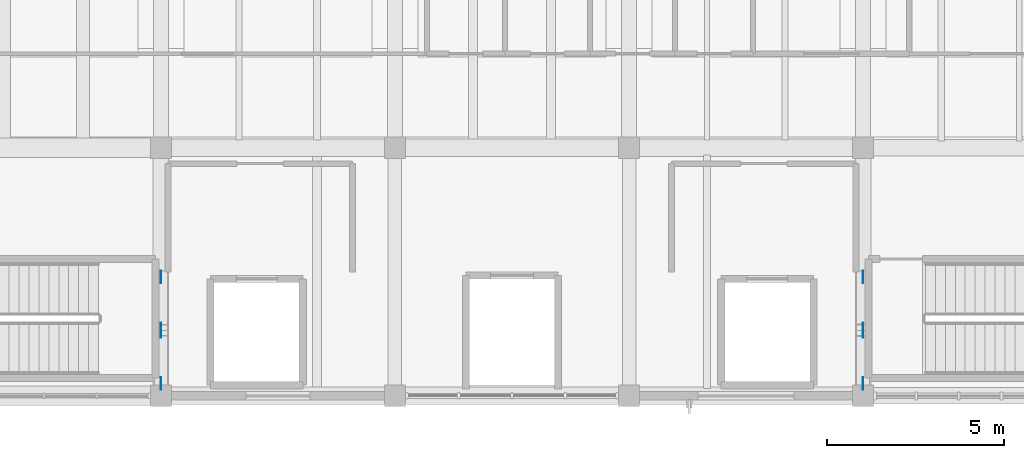
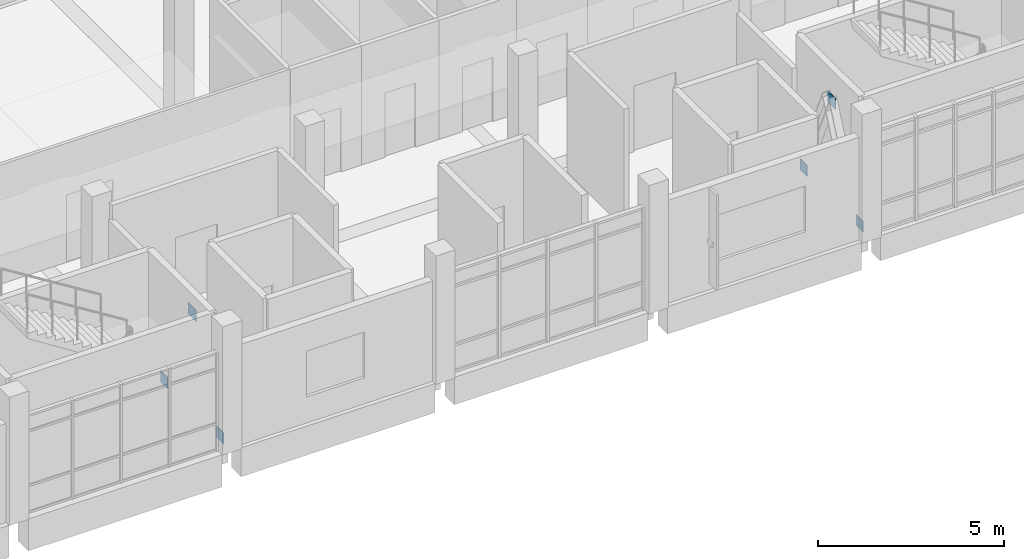
# One storey, part 8 of 14: 6 plates.
"""IFC4 building model written with IfcOpenShell, lengths in metres."""

from ifc_helpers import new_model, si_unit, direction, frame, origin, origin_2d, place, context, subcontext, project, spatial, rectangle, extrude, material, layer, layer_set, type_object, element, save


model = new_model("IFC4")

# Units and contexts
model_context = context("Model", 3, precision=1e-05, world=origin(), true_north=direction((0.0, 1.0)))
body_context = subcontext(model_context, "Body", "Model", "MODEL_VIEW")
ifc_project = project(units=[si_unit("LENGTHUNIT", "METRE"), si_unit("AREAUNIT", "SQUARE_METRE"), si_unit("VOLUMEUNIT", "CUBIC_METRE"), si_unit("PLANEANGLEUNIT", "RADIAN"), si_unit("MASSUNIT", "GRAM", prefix="KILO")], contexts=[model_context])

# Site, building, storey
site_placement = place(None, origin())
site = spatial("IfcSite", under=ifc_project, at=site_placement, CompositionType="ELEMENT")
building_placement = place(site_placement, origin())
building = spatial("IfcBuilding", under=site, at=building_placement, Name="Ciguamira Faculty of Natural Sciences", CompositionType="ELEMENT")
storey_placement = place(building_placement, frame((0.0, 0.0, 33.60009765625)))
storey = spatial("IfcBuildingStorey", under=building, at=storey_placement, Name="L08", CompositionType="ELEMENT", Elevation=33.60009765625)

# Plates
ifc_material = material(Name="Steel ASTM A572 Grade 50", Category="steel")
ifc_layer = layer(ifc_material, 0.02001953125, Name="Steel ASTM A572 Grade 50")
ifc_layer_set = layer_set([ifc_layer], Name="Steel ASTM A572 Grade 50")
plate_type = type_object("IfcPlateType", Name="GussetPlate_EP-02", PredefinedType="SHEET", material=ifc_layer_set)
plate_1_placement = place(storey_placement, frame((77.10009765625, 95.85009765625, 3.099609375), z_axis=(0.0, 0.0, 1.0), x_axis=(1.0, 0.0, 0.0)))
element("IfcPlate", 1, at=plate_1_placement, inside=storey, type_object=plate_type, Name="L08 chevron brace apex gusset plate 019", PredefinedType="SHEET", context=body_context, shape_type="SweptSolid", body=[
    extrude(rectangle(XDim=0.02001953125, YDim=0.419921875, at=origin_2d()), origin(), (0.0, 0.0, 1.0), 0.360107421875),
])
for number, where, z_axis, x_axis, name in (
    (2, (77.10009765625, 94.35009765625, -0.02001953125), (0.0, 0.0, 1.0), (1.0, 0.0, 0.0), "L08 chevron brace base gusset plate 037"),
    (3, (77.10009765625, 97.35009765625, -0.02001953125), (0.0, 0.0, 1.0), (1.0, 0.0, 0.0), "L08 chevron brace base gusset plate 038"),
):
    element("IfcPlate", number, at=place(storey_placement, frame(where, z_axis=z_axis, x_axis=x_axis)), inside=storey, type_object=plate_type, Name=name, PredefinedType="SHEET", context=body_context, shape_type="SweptSolid", body=[
        extrude(rectangle(XDim=0.02001953125, YDim=0.360107421875, at=origin_2d()), origin(), (0.0, 0.0, 1.0), 0.360107421875),
    ])
plate_2_placement = place(storey_placement, frame((96.89990234375, 95.85009765625, 3.099609375), z_axis=(0.0, 0.0, 1.0), x_axis=(1.0, 0.0, 0.0)))
element("IfcPlate", 4, at=plate_2_placement, inside=storey, type_object=plate_type, Name="L08 chevron brace apex gusset plate 020", PredefinedType="SHEET", context=body_context, shape_type="SweptSolid", body=[
    extrude(rectangle(XDim=0.02001953125, YDim=0.419921875, at=origin_2d()), origin(), (0.0, 0.0, 1.0), 0.360107421875),
])
for number, where, z_axis, x_axis, name in (
    (5, (96.89990234375, 94.35009765625, -0.02001953125), (0.0, 0.0, 1.0), (1.0, 0.0, 0.0), "L08 chevron brace base gusset plate 039"),
    (6, (96.89990234375, 97.35009765625, -0.02001953125), (0.0, 0.0, 1.0), (1.0, 0.0, 0.0), "L08 chevron brace base gusset plate 040"),
):
    element("IfcPlate", number, at=place(storey_placement, frame(where, z_axis=z_axis, x_axis=x_axis)), inside=storey, type_object=plate_type, Name=name, PredefinedType="SHEET", context=body_context, shape_type="SweptSolid", body=[
        extrude(rectangle(XDim=0.02001953125, YDim=0.360107421875, at=origin_2d()), origin(), (0.0, 0.0, 1.0), 0.360107421875),
    ])

save(model, "model.ifc")
